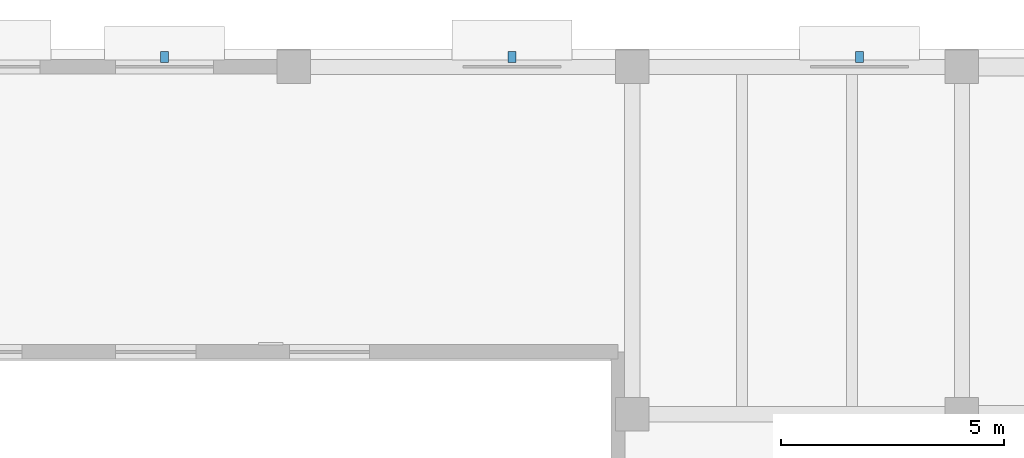
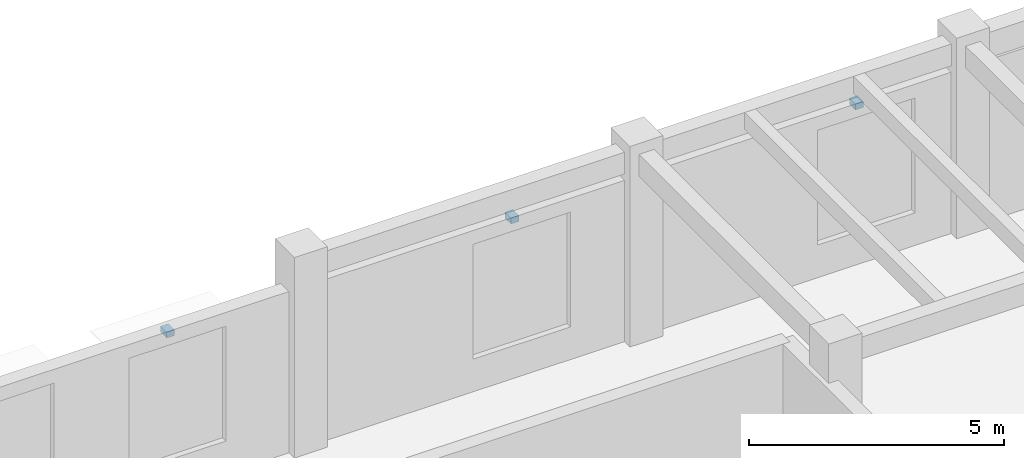
# One storey, part 87 of 98: 3 discrete accessories.
"""IFC4 building model written with IfcOpenShell, lengths in metres."""

from ifc_helpers import new_model, si_unit, direction, frame, origin, origin_2d, place, context, subcontext, project, spatial, rectangle, extrude, material, type_object, element, save


model = new_model("IFC4")

# Units and contexts
model_context = context("Model", 3, precision=1e-05, world=origin(), true_north=direction((0.0, 1.0)))
body_context = subcontext(model_context, "Body", "Model", "MODEL_VIEW")
ifc_project = project(units=[si_unit("LENGTHUNIT", "METRE"), si_unit("AREAUNIT", "SQUARE_METRE"), si_unit("VOLUMEUNIT", "CUBIC_METRE"), si_unit("PLANEANGLEUNIT", "RADIAN"), si_unit("MASSUNIT", "GRAM", prefix="KILO")], contexts=[model_context])

# Site, building, storey
site_placement = place(None, origin())
site = spatial("IfcSite", under=ifc_project, at=site_placement, CompositionType="ELEMENT")
building_placement = place(site_placement, origin())
building = spatial("IfcBuilding", under=site, at=building_placement, Name="Pelvatis Terrace Science Centre", CompositionType="ELEMENT")
storey_placement = place(building_placement, frame((0.0, 0.0, 5.39990234375)))
storey = spatial("IfcBuildingStorey", under=building, at=storey_placement, Name="L01", CompositionType="ELEMENT", Elevation=5.39990234375)

# Discrete accessories
ifc_material = material(Name="Structural steel S355", Category="steel")
discrete_accessory_type = type_object("IfcDiscreteAccessoryType", Name="BRK-STL-01", PredefinedType="BRACKET", material=ifc_material)
for number, where, name in (
    (1, (130.300048828125, 116.822509765625, 3.5), "Facade shading bracket BRK-WIN-L01-039"),
    (2, (138.10009765625, 116.822509765625, 3.5), "Facade shading bracket BRK-WIN-L01-040"),
    (3, (145.89990234375, 116.822509765625, 3.5), "Facade shading bracket BRK-WIN-L01-041"),
):
    element("IfcDiscreteAccessory", number, at=place(storey_placement, frame(where)), inside=storey, type_object=discrete_accessory_type, Name=name, PredefinedType="BRACKET", context=body_context, shape_type="SweptSolid", body=[
        extrude(rectangle(XDim=0.18, YDim=0.24, at=origin_2d()), origin(), (0.0, 0.0, 1.0), 0.139892578125),
    ])

save(model, "model.ifc")
